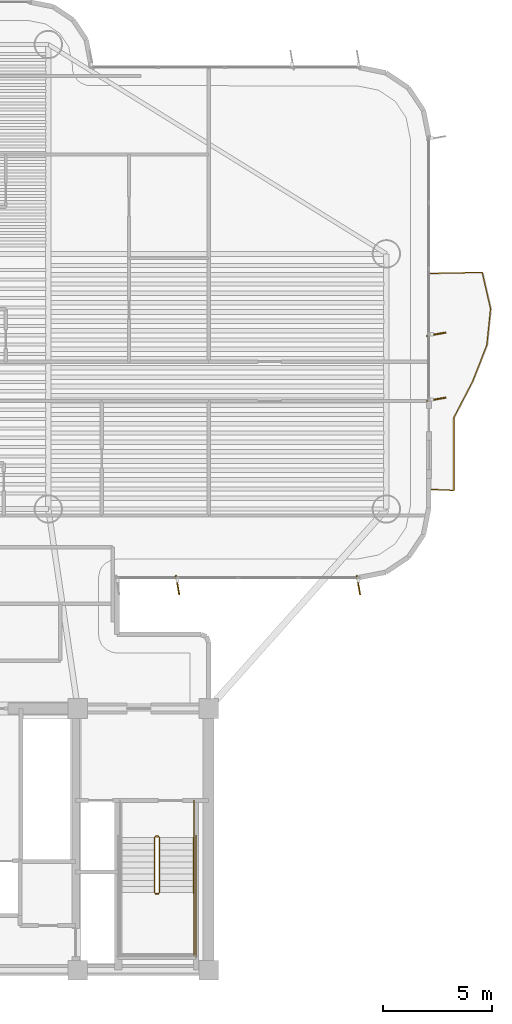
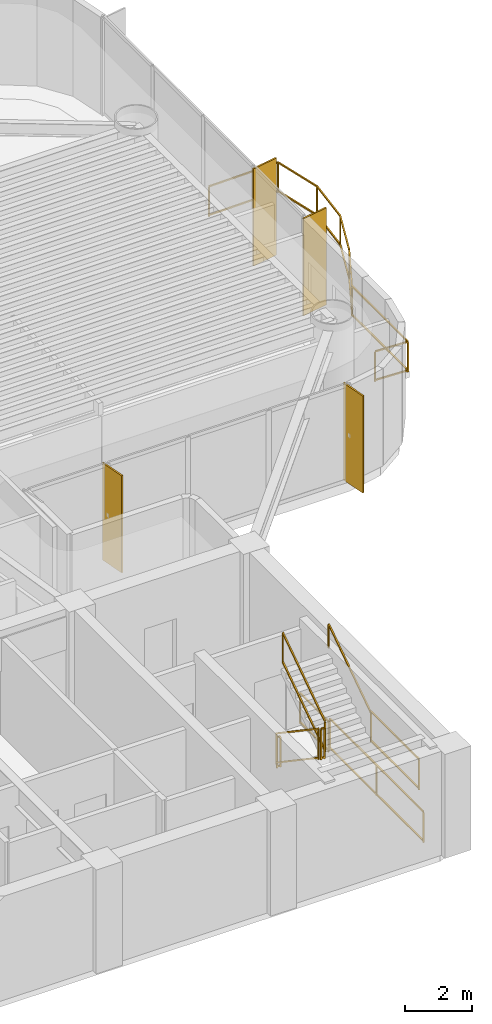
# One storey, part 16 of 17: 9 railings, 4 shading devices.
"""IFC4 building model written with IfcOpenShell, lengths in metres."""

from ifc_helpers import new_model, si_unit, direction, frame, origin, origin_2d, place, context, subcontext, project, spatial, rectangle, extrude, source, transform, mapped, material, layer, layer_set, material_profile, profile_set, type_object, element, save


model = new_model("IFC4")

# Units and contexts
model_context = context("Model", 3, precision=1e-05, world=origin(), true_north=direction((0.0, 1.0)))
body_context = subcontext(model_context, "Body", "Model", "MODEL_VIEW")
ifc_project = project(units=[si_unit("LENGTHUNIT", "METRE"), si_unit("AREAUNIT", "SQUARE_METRE"), si_unit("VOLUMEUNIT", "CUBIC_METRE"), si_unit("PLANEANGLEUNIT", "RADIAN"), si_unit("MASSUNIT", "GRAM", prefix="KILO")], contexts=[model_context])

# Site, building, storey
site_placement = place(None, origin())
site = spatial("IfcSite", under=ifc_project, at=site_placement, CompositionType="ELEMENT")
building_placement = place(site_placement, origin())
building = spatial("IfcBuilding", under=site, at=building_placement, Name="Brelvock Crest Care Tower", CompositionType="ELEMENT")
storey_placement = place(building_placement, frame((0.0, 0.0, 89.820068359375)))
storey = spatial("IfcBuildingStorey", under=building, at=storey_placement, Name="L22", CompositionType="ELEMENT", Elevation=89.820068359375)

# Railings
ifc_material_1 = material(Name="Dark Glass Double Glazed Low-E", Category="glass")
ifc_layer_1 = layer(ifc_material_1, 0.06005859375, Name="RL-BAL1")
ifc_layer_set_1 = layer_set([ifc_layer_1], Name="Dark Glass Double Glazed Low-E")
railing_type_1 = type_object("IfcRailingType", Name="RL-BAL1", PredefinedType="BALUSTRADE", material=ifc_layer_set_1)
railing_1_placement = place(storey_placement, frame((58.139892578125, 28.050048828125, 0.00390625)))
element("IfcRailing", 1, at=railing_1_placement, inside=storey, type_object=railing_type_1, Name="L22 Safety Balustrade WB-E", PredefinedType="BALUSTRADE", context=body_context, shape_type="SweptSolid", body=[
    extrude(rectangle(XDim=0.048095703125, YDim=0.048095703125, at=origin_2d()), frame((0.001953125, 0.0, 1.09619140625), z_axis=(0.998966710972, -0.045447886318, 0.0), x_axis=(0.045447886318, 0.998966710972, 0.0)), (0.0, 0.0, 1.0), 1.09716796875),
    extrude(rectangle(XDim=0.048095703125, YDim=0.048095703125, at=origin_2d()), frame((0.001953125, 0.0, 0.054931640625), z_axis=(0.998966710972, -0.045447886318, 0.0), x_axis=(0.045447886318, 0.998966710972, 0.0)), (0.0, 0.0, 1.0), 1.09716796875),
    extrude(rectangle(XDim=0.048095703125, YDim=0.048095703125, at=origin_2d()), frame((1.10009765625, -0.048095703125, 1.09619140625), z_axis=(0.00014648795, 0.999999989271, 0.0), x_axis=(-0.999999989271, 0.00014648795, 0.0)), (0.0, 0.0, 1.0), 3.329345703125),
    extrude(rectangle(XDim=0.048095703125, YDim=0.048095703125, at=origin_2d()), frame((1.10009765625, -0.048095703125, 0.054931640625), z_axis=(0.00014648795, 0.999999989271, 0.0), x_axis=(-0.999999989271, 0.00014648795, 0.0)), (0.0, 0.0, 1.0), 3.329345703125),
    extrude(rectangle(XDim=0.048095703125, YDim=0.048095703125, at=origin_2d()), frame((1.1015625, 3.284912109375, 1.09619140625), z_axis=(0.46114401417, 0.887325305733, 0.0), x_axis=(-0.887325305733, 0.46114401417, 0.0)), (0.0, 0.0, 1.0), 1.87451171875),
    extrude(rectangle(XDim=0.048095703125, YDim=0.048095703125, at=origin_2d()), frame((1.1015625, 3.284912109375, 0.054931640625), z_axis=(0.46114401417, 0.887325305733, 0.0), x_axis=(-0.887325305733, 0.46114401417, 0.0)), (0.0, 0.0, 1.0), 1.87451171875),
    extrude(rectangle(XDim=0.048095703125, YDim=0.048095703125, at=origin_2d()), frame((1.967529296875, 4.951904296875, 1.09619140625), z_axis=(0.364466206994, 0.93121661495, 0.0), x_axis=(-0.93121661495, 0.364466206994, 0.0)), (0.0, 0.0, 1.0), 1.785888671875),
    extrude(rectangle(XDim=0.048095703125, YDim=0.048095703125, at=origin_2d()), frame((1.967529296875, 4.951904296875, 0.054931640625), z_axis=(0.364466206994, 0.93121661495, 0.0), x_axis=(-0.93121661495, 0.364466206994, 0.0)), (0.0, 0.0, 1.0), 1.785888671875),
    extrude(rectangle(XDim=0.048095703125, YDim=0.048095703125, at=origin_2d()), frame((2.619384765625, 6.61865234375, 1.09619140625), z_axis=(0.101148651987, 0.994871323439, 0.0), x_axis=(-0.994871323439, 0.101148651987, 0.0)), (0.0, 0.0, 1.0), 1.671142578125),
    extrude(rectangle(XDim=0.048095703125, YDim=0.048095703125, at=origin_2d()), frame((2.619384765625, 6.61865234375, 0.054931640625), z_axis=(0.101148651987, 0.994871323439, 0.0), x_axis=(-0.994871323439, 0.101148651987, 0.0)), (0.0, 0.0, 1.0), 1.671142578125),
    extrude(rectangle(XDim=0.048095703125, YDim=0.048095703125, at=origin_2d()), frame((2.7880859375, 8.28515625, 1.09619140625), z_axis=(-0.22439035679, 0.974499342114, 0.0), x_axis=(-0.974499342114, -0.22439035679, 0.0)), (0.0, 0.0, 1.0), 1.706298828125),
    extrude(rectangle(XDim=0.048095703125, YDim=0.048095703125, at=origin_2d()), frame((2.7880859375, 8.28515625, 0.054931640625), z_axis=(-0.22439035679, 0.974499342114, 0.0), x_axis=(-0.974499342114, -0.22439035679, 0.0)), (0.0, 0.0, 1.0), 1.706298828125),
    extrude(rectangle(XDim=0.048095703125, YDim=0.048095703125, at=origin_2d()), frame((2.40283203125, 9.949951171875, 1.09619140625), z_axis=(-0.999783496855, -0.020807676838, 0.0), x_axis=(0.020807676838, -0.999783496855, 0.0)), (0.0, 0.0, 1.0), 2.4013671875),
    extrude(rectangle(XDim=0.048095703125, YDim=0.048095703125, at=origin_2d()), frame((2.40283203125, 9.949951171875, 0.054931640625), z_axis=(-0.999783496855, -0.020807676838, 0.0), x_axis=(0.020807676838, -0.999783496855, 0.0)), (0.0, 0.0, 1.0), 2.4013671875),
    extrude(rectangle(XDim=0.0419921875, YDim=0.0419921875, at=origin_2d()), origin(), (0.0, 0.0, 1.0), 1.070068359375),
    extrude(rectangle(XDim=0.0419921875, YDim=0.0419921875, at=origin_2d()), frame((1.10009765625, -0.050048828125, 0.0)), (0.0, 0.0, 1.0), 1.070068359375),
    extrude(rectangle(XDim=0.0419921875, YDim=0.0419921875, at=origin_2d()), frame((1.1005859375, 3.283203125, 0.0)), (0.0, 0.0, 1.0), 1.070068359375),
    extrude(rectangle(XDim=0.0419921875, YDim=0.0419921875, at=origin_2d()), frame((1.966796875, 4.949951171875, 0.0)), (0.0, 0.0, 1.0), 1.070068359375),
    extrude(rectangle(XDim=0.0419921875, YDim=0.0419921875, at=origin_2d()), frame((2.619140625, 6.61669921875, 0.0)), (0.0, 0.0, 1.0), 1.070068359375),
    extrude(rectangle(XDim=0.0419921875, YDim=0.0419921875, at=origin_2d()), frame((2.78857421875, 8.283203125, 0.0)), (0.0, 0.0, 1.0), 1.070068359375),
    extrude(rectangle(XDim=0.0419921875, YDim=0.0419921875, at=origin_2d()), frame((2.40478515625, 9.949951171875, 0.0)), (0.0, 0.0, 1.0), 1.070068359375),
    extrude(rectangle(XDim=0.0419921875, YDim=0.0419921875, at=origin_2d()), frame((0.0, 9.89990234375, 0.0)), (0.0, 0.0, 1.0), 1.070068359375),
])
ifc_material_2 = material(Name="Steel Grade 350", Category="steel")
ifc_layer_2 = layer(ifc_material_2, 0.050048828125, Name="RL-STG1")
ifc_layer_set_2 = layer_set([ifc_layer_2], Name="Steel Grade 350")
railing_type_2 = type_object("IfcRailingType", Name="RL-STG1", PredefinedType="GUARDRAIL", material=ifc_layer_set_2)
railing_2_placement = place(storey_placement, frame((45.52001953125, 12.080078125, 0.18896484375)))
element("IfcRailing", 2, at=railing_2_placement, inside=storey, type_object=railing_type_2, Name="L22 ST-2 stair guard 1", PredefinedType="GUARDRAIL", context=body_context, shape_type="SweptSolid", body=[
    extrude(rectangle(XDim=0.048095703125, YDim=0.048095703125, at=origin_2d()), frame((0.0, -0.001708984375, 1.116943359375), z_axis=(0.0, -0.828861706735, 0.559453546873), x_axis=(1.0, 0.0, 0.0)), (0.0, 0.0, 1.0), 3.036376953125),
    extrude(rectangle(XDim=0.048095703125, YDim=0.048095703125, at=origin_2d()), frame((0.0, -0.001708984375, 0.05615234375), z_axis=(0.0, -0.828861706735, 0.559453546873), x_axis=(1.0, 0.0, 0.0)), (0.0, 0.0, 1.0), 3.036376953125),
    extrude(rectangle(XDim=0.0419921875, YDim=0.0419921875, at=origin_2d()), origin(), (0.0, 0.0, 1.0), 1.08984375),
    extrude(rectangle(XDim=0.0419921875, YDim=0.0419921875, at=origin_2d()), frame((0.0, -2.52001953125, 1.700927734375)), (0.0, 0.0, 1.0), 1.08984375),
])
railing_3_placement = place(storey_placement, frame((45.570068359375, 9.510009765625, 1.889892578125)))
element("IfcRailing", 3, at=railing_3_placement, inside=storey, type_object=railing_type_2, Name="L22 ST-2 stair guard 2", PredefinedType="GUARDRAIL", context=body_context, shape_type="SweptSolid", body=[
    extrude(rectangle(XDim=0.048095703125, YDim=0.048095703125, at=origin_2d()), frame((0.001953125, 0.0, 1.11572265625), z_axis=(1.0, 0.0, 0.0), x_axis=(0.0, 1.0, 0.0)), (0.0, 0.0, 1.0), 0.115966796875),
    extrude(rectangle(XDim=0.048095703125, YDim=0.048095703125, at=origin_2d()), frame((0.001953125, 0.0, 0.054931640625), z_axis=(1.0, 0.0, 0.0), x_axis=(0.0, 1.0, 0.0)), (0.0, 0.0, 1.0), 0.115966796875),
    extrude(rectangle(XDim=0.0419921875, YDim=0.0419921875, at=origin_2d()), origin(), (0.0, 0.0, 1.0), 1.08984375),
    extrude(rectangle(XDim=0.0419921875, YDim=0.0419921875, at=origin_2d()), frame((0.119873046875, 0.0, 0.0)), (0.0, 0.0, 1.0), 1.08984375),
])
railing_4_placement = place(storey_placement, frame((47.320068359375, 9.56005859375, 1.889892578125)))
element("IfcRailing", 4, at=railing_4_placement, inside=storey, type_object=railing_type_2, Name="L22 ST-2 stair guard 4", PredefinedType="GUARDRAIL", context=body_context, shape_type="SweptSolid", body=[
    extrude(rectangle(XDim=0.048095703125, YDim=0.048095703125, at=origin_2d()), frame((0.0, -0.001953125, 1.11572265625), z_axis=(0.0, -1.0, 0.0), x_axis=(1.0, 0.0, 0.0)), (0.0, 0.0, 1.0), 2.856201171875),
    extrude(rectangle(XDim=0.048095703125, YDim=0.048095703125, at=origin_2d()), frame((0.0, -0.001953125, 0.054931640625), z_axis=(0.0, -1.0, 0.0), x_axis=(1.0, 0.0, 0.0)), (0.0, 0.0, 1.0), 2.856201171875),
    extrude(rectangle(XDim=0.0419921875, YDim=0.0419921875, at=origin_2d()), origin(), (0.0, 0.0, 1.0), 1.08984375),
    extrude(rectangle(XDim=0.0419921875, YDim=0.0419921875, at=origin_2d()), frame((0.0, -2.860107421875, 0.0)), (0.0, 0.0, 1.0), 1.08984375),
])
railing_5_placement = place(storey_placement, frame((45.739990234375, 9.56005859375, 2.078857421875)))
element("IfcRailing", 5, at=railing_5_placement, inside=storey, type_object=railing_type_2, Name="L22 ST-2 stair guard 6", PredefinedType="GUARDRAIL", context=body_context, shape_type="SweptSolid", body=[
    extrude(rectangle(XDim=0.048095703125, YDim=0.048095703125, at=origin_2d()), frame((0.0, 0.001708984375, 1.116943359375), z_axis=(0.0, 0.82882447046, 0.559508710537), x_axis=(-1.0, 0.0, 0.0)), (0.0, 0.0, 1.0), 3.036376953125),
    extrude(rectangle(XDim=0.048095703125, YDim=0.048095703125, at=origin_2d()), frame((0.0, 0.001708984375, 0.05615234375), z_axis=(0.0, 0.82882447046, 0.559508710537), x_axis=(-1.0, 0.0, 0.0)), (0.0, 0.0, 1.0), 3.036376953125),
    extrude(rectangle(XDim=0.0419921875, YDim=0.0419921875, at=origin_2d()), origin(), (0.0, 0.0, 1.0), 1.08984375),
    extrude(rectangle(XDim=0.0419921875, YDim=0.0419921875, at=origin_2d()), frame((0.0, 2.52001953125, 1.701171875)), (0.0, 0.0, 1.0), 1.08984375),
])
railing_6_placement = place(storey_placement, frame((45.570068359375, 12.1298828125, 0.0)))
element("IfcRailing", 6, at=railing_6_placement, inside=storey, type_object=railing_type_2, Name="L22 ST-2 stair guard 7", PredefinedType="GUARDRAIL", context=body_context, shape_type="SweptSolid", body=[
    extrude(rectangle(XDim=0.048095703125, YDim=0.048095703125, at=origin_2d()), frame((0.001953125, 0.0, 1.11572265625), z_axis=(1.0, 0.0, 0.0), x_axis=(0.0, 1.0, 0.0)), (0.0, 0.0, 1.0), 0.115966796875),
    extrude(rectangle(XDim=0.048095703125, YDim=0.048095703125, at=origin_2d()), frame((0.001953125, 0.0, 0.054931640625), z_axis=(1.0, 0.0, 0.0), x_axis=(0.0, 1.0, 0.0)), (0.0, 0.0, 1.0), 0.115966796875),
    extrude(rectangle(XDim=0.0419921875, YDim=0.0419921875, at=origin_2d()), origin(), (0.0, 0.0, 1.0), 1.08984375),
    extrude(rectangle(XDim=0.0419921875, YDim=0.0419921875, at=origin_2d()), frame((0.119873046875, 0.0, 0.0)), (0.0, 0.0, 1.0), 1.08984375),
])
railing_7_placement = place(storey_placement, frame((47.320068359375, 13.780029296875, 0.0)))
element("IfcRailing", 7, at=railing_7_placement, inside=storey, type_object=railing_type_2, Name="L22 ST-2 stair guard 9", PredefinedType="GUARDRAIL", context=body_context, shape_type="SweptSolid", body=[
    extrude(rectangle(XDim=0.048095703125, YDim=0.048095703125, at=origin_2d()), frame((0.0, -0.001953125, 1.11572265625), z_axis=(0.0, -1.0, 0.0), x_axis=(1.0, 0.0, 0.0)), (0.0, 0.0, 1.0), 1.696044921875),
    extrude(rectangle(XDim=0.048095703125, YDim=0.048095703125, at=origin_2d()), frame((0.0, -0.001953125, 0.054931640625), z_axis=(0.0, -1.0, 0.0), x_axis=(1.0, 0.0, 0.0)), (0.0, 0.0, 1.0), 1.696044921875),
    extrude(rectangle(XDim=0.0419921875, YDim=0.0419921875, at=origin_2d()), origin(), (0.0, 0.0, 1.0), 1.08984375),
    extrude(rectangle(XDim=0.0419921875, YDim=0.0419921875, at=origin_2d()), frame((0.0, -1.699951171875, 0.0)), (0.0, 0.0, 1.0), 1.08984375),
])
railing_8_placement = place(storey_placement, frame((47.419921875, 12.179931640625, 0.0)))
element("IfcRailing", 8, at=railing_8_placement, inside=storey, type_object=railing_type_2, Name="L22 ST-2 stair guard 11", PredefinedType="GUARDRAIL", context=body_context, shape_type="SweptSolid", body=[
    extrude(rectangle(XDim=0.048095703125, YDim=0.048095703125, at=origin_2d()), frame((0.0, -0.001953125, 1.11572265625), z_axis=(0.0, -1.0, 0.0), x_axis=(1.0, 0.0, 0.0)), (0.0, 0.0, 1.0), 5.575927734375),
    extrude(rectangle(XDim=0.048095703125, YDim=0.048095703125, at=origin_2d()), frame((0.0, -0.001953125, 0.054931640625), z_axis=(0.0, -1.0, 0.0), x_axis=(1.0, 0.0, 0.0)), (0.0, 0.0, 1.0), 5.575927734375),
    extrude(rectangle(XDim=0.0419921875, YDim=0.0419921875, at=origin_2d()), origin(), (0.0, 0.0, 1.0), 1.08984375),
    extrude(rectangle(XDim=0.0419921875, YDim=0.0419921875, at=origin_2d()), frame((0.0, -2.7900390625, 0.0)), (0.0, 0.0, 1.0), 1.08984375),
    extrude(rectangle(XDim=0.0419921875, YDim=0.0419921875, at=origin_2d()), frame((0.0, -5.579833984375, 0.0)), (0.0, 0.0, 1.0), 1.08984375),
])
ifc_layer_3 = layer(ifc_material_2, 0.048095703125, Name="RL-STH1")
ifc_layer_set_3 = layer_set([ifc_layer_3], Name="Steel Grade 350")
railing_type_3 = type_object("IfcRailingType", Name="RL-STH1", PredefinedType="HANDRAIL", material=ifc_layer_set_3)
railing_9_placement = place(storey_placement, frame((47.320068359375, 9.56005859375, 2.078857421875)))
element("IfcRailing", 9, at=railing_9_placement, inside=storey, type_object=railing_type_3, Name="L22 ST-2 stair handrail 2", PredefinedType="HANDRAIL", context=body_context, shape_type="SweptSolid", body=[
    extrude(rectangle(XDim=0.048095703125, YDim=0.048095703125, at=origin_2d()), frame((0.0, 0.001708984375, 0.876953125), z_axis=(0.0, 0.82882447046, 0.559508710537), x_axis=(-1.0, 0.0, 0.0)), (0.0, 0.0, 1.0), 3.036376953125),
    extrude(rectangle(XDim=0.0419921875, YDim=0.0419921875, at=origin_2d()), origin(), (0.0, 0.0, 1.0), 0.849853515625),
    extrude(rectangle(XDim=0.0419921875, YDim=0.0419921875, at=origin_2d()), frame((0.0, 2.52001953125, 1.701171875)), (0.0, 0.0, 1.0), 0.849853515625),
])

# Shading devices
ifc_material_3 = material(Name="Aluminium 6063-T6", Category="aluminium")
ifc_material_profile = material_profile(ifc_material_3, rectangle(XDim=0.054931640625, YDim=0.89990234375, at=origin_2d()), Name="FIN55x900")
ifc_profile_set = profile_set([ifc_material_profile], Name="Aluminium 6063-T6")
shading_device_type = type_object("IfcShadingDeviceType", Name="SHD-FIN1", PredefinedType="USERDEFINED", material=ifc_profile_set)
shared_shape = source(origin(), body_context, "Body", "SweptSolid", [
    extrude(rectangle(XDim=0.054931640625, YDim=0.89990234375, at=origin_2d()), origin(), (0.0, 0.0, 1.0), 3.530029296875),
])
for number, where, z_axis, x_axis, name in (
    (10, (58.43994140625, 35.16259765625, 0.0), (0.0, 0.0, 1.0), (0.173648177667, -0.984807753012, 0.0), "L22 Vertical Sunshade Fin E39A-04"),
    (11, (58.43994140625, 32.179931640625, 0.0), (0.0, 0.0, 1.0), (0.173648177667, -0.984807753012, 0.0), "L22 Vertical Sunshade Fin E39A-05"),
    (12, (54.8701171875, 23.659912109375, 0.0), (0.0, 0.0, 1.0), (-0.984807753012, -0.173648177667, 0.0), "L22 Vertical Sunshade Fin E44-01"),
    (13, (46.574951171875, 23.659912109375, 0.0), (0.0, 0.0, 1.0), (-0.984807753012, -0.173648177667, 0.0), "L22 Vertical Sunshade Fin E44-04"),
):
    element("IfcShadingDevice", number, at=place(storey_placement, frame(where, z_axis=z_axis, x_axis=x_axis)), inside=storey, type_object=shading_device_type, Name=name, ObjectType="FIN", PredefinedType="USERDEFINED", context=body_context, shape_type="MappedRepresentation", body=[
        mapped(shared_shape, transform((0.0, 0.0, 0.0), x_axis=(1.0, 0.0, 0.0), y_axis=(0.0, 1.0, 0.0), z_axis=(0.0, 0.0, 1.0), scale=1.0)),
    ])

save(model, "model.ifc")
